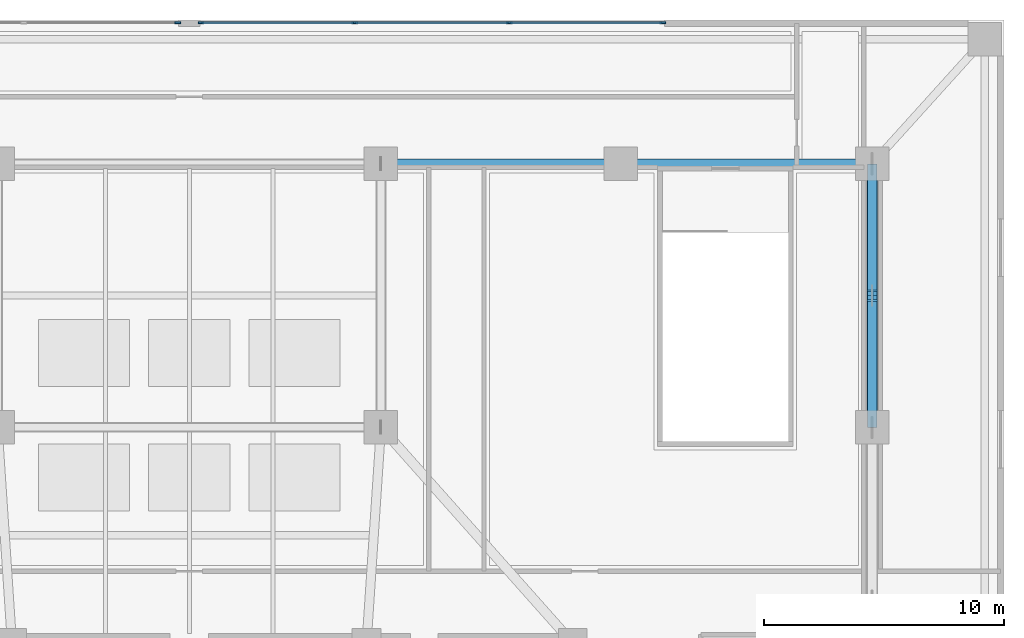
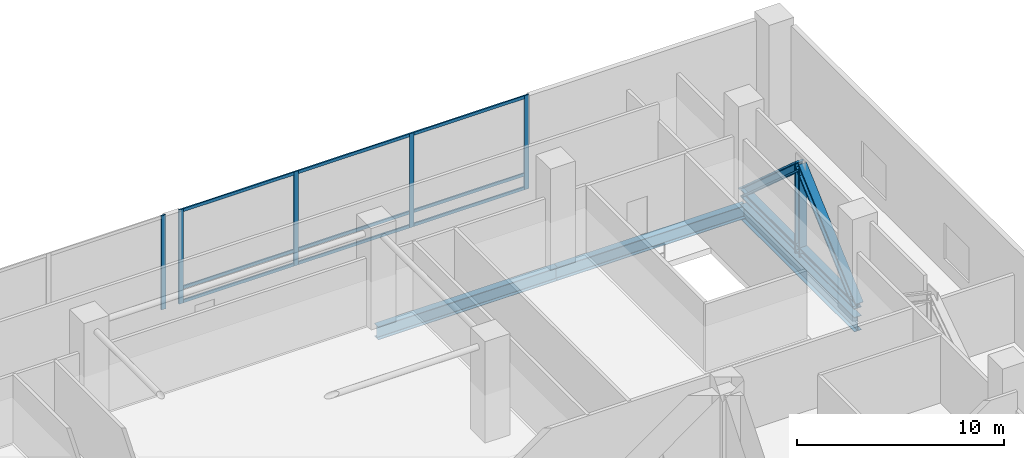
# One storey, part 5 of 16: 19 members, 3 beams, 2 elements without a shape of their own.
"""IFC4 building model written with IfcOpenShell, lengths in metres."""

import ifcopenshell
import ifcopenshell.guid

model = None  # the IFC model being written
_history = None  # IfcOwnerHistory: only IFC2X3 demands one
_inside = {}  # id of a spatial element -> (the spatial element, [elements in it])
_under = {}  # id of a project, library or spatial element -> (it, [spatial elements below it])
_declared = {}  # id of a project -> (the project, [libraries it declares])
_typed = {}  # id of a type object -> (the type object, [elements of that type])
_made_of = {}  # id of a material, layer set ... -> (it, [elements and type objects made of it])


def new_model(schema):
    """Start an empty IFC model of exactly this schema.

    Asked for "IFC4X3", IfcOpenShell would pick the latest addendum, in which some entities
    have other attributes; the version numbers below select the first issue.
    IFC2X3 requires an IfcOwnerHistory on every rooted entity: one is made here for all.
    """
    global model, _history
    if schema == "IFC4X3":
        model = ifcopenshell.file(schema_version=(4, 3, 0, 0))
    else:
        model = ifcopenshell.file(schema=schema)
    _inside.clear()
    _under.clear()
    _declared.clear()
    _typed.clear()
    _made_of.clear()
    _history = None
    if model.schema == "IFC2X3":
        org = make("IfcOrganization", Name="unknown")
        user = make(
            "IfcPersonAndOrganization",
            ThePerson=make("IfcPerson", FamilyName="unknown"),
            TheOrganization=org,
        )
        app = make(
            "IfcApplication",
            ApplicationDeveloper=org,
            Version="unknown",
            ApplicationFullName="unknown",
            ApplicationIdentifier="unknown",
        )
        _history = make(
            "IfcOwnerHistory",
            OwningUser=user,
            OwningApplication=app,
            ChangeAction="ADDED",
            CreationDate=0,
        )
    return model


def make(cls, **values):
    """One entity of the class cls with the attributes given. An attribute that is None is left unset."""
    return model.create_entity(
        cls, **{name: value for name, value in values.items() if value is not None}
    )


def rooted(cls, **values):
    """An entity with a GlobalId (a new one), such as an element, a storey or a relation."""
    return make(cls, GlobalId=ifcopenshell.guid.new(), OwnerHistory=_history, **values)


def si_unit(unit_type, name, prefix=None):
    """IfcSIUnit, for example si_unit("LENGTHUNIT", "METRE", prefix="MILLI")."""
    return make("IfcSIUnit", UnitType=unit_type, Prefix=prefix, Name=name)


def assignment(units):
    """IfcUnitAssignment: the units of a project."""
    return None if units is None else make("IfcUnitAssignment", Units=units)


def point(xyz):
    """IfcCartesianPoint."""
    return None if xyz is None else make("IfcCartesianPoint", Coordinates=xyz)


def direction(xyz):
    """IfcDirection."""
    return None if xyz is None else make("IfcDirection", DirectionRatios=xyz)


def frame(location, z_axis=None, x_axis=None):
    """IfcAxis2Placement3D, a coordinate frame: its origin and axes. An axis left out is left unset."""
    return make(
        "IfcAxis2Placement3D",
        Location=point(location),
        Axis=direction(z_axis),
        RefDirection=direction(x_axis),
    )


def frame_2d(location, x_axis=None):
    """IfcAxis2Placement2D, a coordinate frame in the plane: its origin and x axis."""
    return make(
        "IfcAxis2Placement2D", Location=point(location), RefDirection=direction(x_axis)
    )


def origin():
    """The frame at (0, 0, 0) with its axes left unset."""
    return frame((0.0, 0.0, 0.0))


def origin_2d():
    """The frame at (0, 0) in the plane with its x axis left unset."""
    return frame_2d((0.0, 0.0))


def place(relative_to, where):
    """IfcLocalPlacement: puts the frame where relative to a parent placement (None: the world)."""
    return make(
        "IfcLocalPlacement", PlacementRelTo=relative_to, RelativePlacement=where
    )


def context(
    kind, dimensions, precision=None, world=None, true_north=None, identifier=None
):
    """IfcGeometricRepresentationContext, for example the 3D "Model" context."""
    return make(
        "IfcGeometricRepresentationContext",
        ContextIdentifier=identifier,
        ContextType=kind,
        CoordinateSpaceDimension=dimensions,
        Precision=precision,
        WorldCoordinateSystem=world,
        TrueNorth=true_north,
    )


def subcontext(parent, identifier, kind, view, scale=None):
    """IfcGeometricRepresentationSubContext, for example "Body" below "Model"."""
    return make(
        "IfcGeometricRepresentationSubContext",
        ContextIdentifier=identifier,
        ContextType=kind,
        ParentContext=parent,
        TargetScale=scale,
        TargetView=view,
    )


def project(units=None, contexts=None):
    """IfcProject with its units and contexts."""
    return rooted(
        "IfcProject",
        Name="project",
        RepresentationContexts=contexts,
        UnitsInContext=assignment(units),
    )


def spatial(cls, under=None, at=None, **own):
    """A site, building, storey or space (cls), placed at a placement, below another one or the project."""
    s = rooted(cls, ObjectPlacement=at, **own)
    if under is not None:
        _under.setdefault(under.id(), (under, []))[1].append(s)
    return s


def profile(cls, at=None, kind="AREA", **sizes):
    """A parametric profile (cls). Its sizes go by their IFC names, for example OverallWidth=200.0."""
    return make(cls, ProfileType=kind, Position=at, **sizes)


def rectangle(**sizes):
    """IfcRectangleProfileDef."""
    return profile("IfcRectangleProfileDef", **sizes)


def i_section(**sizes):
    """IfcIShapeProfileDef."""
    return profile("IfcIShapeProfileDef", **sizes)


def extrude(swept, where, along, depth):
    """IfcExtrudedAreaSolid: the profile swept, set in the frame where, extruded along a direction by depth."""
    return make(
        "IfcExtrudedAreaSolid",
        SweptArea=swept,
        Position=where,
        ExtrudedDirection=direction(along),
        Depth=depth,
    )


def shape(context_of_items, identifier, shape_type, items):
    """IfcShapeRepresentation: the items that make up one representation, for example the "Body"."""
    return make(
        "IfcShapeRepresentation",
        ContextOfItems=context_of_items,
        RepresentationIdentifier=identifier,
        RepresentationType=shape_type,
        Items=items,
    )


def material(Name=None, Category=None):
    """IfcMaterial."""
    return make("IfcMaterial", Name=Name, Category=Category)


def material_profile(
    of_material, cross_section, Name=None, Category=None, Priority=None
):
    """IfcMaterialProfile: a cross section and its material."""
    return make(
        "IfcMaterialProfile",
        Name=Name,
        Material=of_material,
        Profile=cross_section,
        Priority=Priority,
        Category=Category,
    )


def profile_set(profiles, Name=None, composite=None):
    """IfcMaterialProfileSet."""
    return make(
        "IfcMaterialProfileSet",
        Name=Name,
        MaterialProfiles=profiles,
        CompositeProfile=composite,
    )


def made_of(thing, what):
    """Note that an element or type object is made of a material, layer set ...; save() writes the relation."""
    if what is not None:
        _made_of.setdefault(what.id(), (what, []))[1].append(thing)
    return thing


def type_object(cls, material=None, **own):
    """A type object (cls), such as IfcWallType, which elements share."""
    return made_of(rooted(cls, **own), material)


def element(
    cls,
    number,
    at=None,
    inside=None,
    cuts=None,
    type_object=None,
    material=None,
    context=None,
    identifier="Body",
    shape_type=None,
    held_by="IfcProductDefinitionShape",
    body=None,
    shapes=None,
    **own,
):
    """One element of the class cls, such as IfcWall. Its Tag is "e" and its number.

    at: its placement. inside: the storey or other place that contains it. cuts: it is an
    opening in that element (IfcRelVoidsElement). A single representation is given by context,
    identifier, shape_type and body (its items); several are given by shapes. held_by: the class
    of the entity that holds the representations. save() writes the other relations.
    """
    e = rooted(cls, Tag="e%d" % number, ObjectPlacement=at, **own)
    if body is not None:
        shapes = [shape(context, identifier, shape_type, body)]
    if shapes is not None:
        e.Representation = make(held_by, Representations=shapes)
    if inside is not None:
        _inside.setdefault(inside.id(), (inside, []))[1].append(e)
    if cuts is not None:
        rooted(
            "IfcRelVoidsElement", RelatingBuildingElement=cuts, RelatedOpeningElement=e
        )
    if type_object is not None:
        _typed.setdefault(type_object.id(), (type_object, []))[1].append(e)
    return made_of(e, material)


def aggregate(whole, parts):
    """IfcRelAggregates: a whole, such as a stair, and the parts it consists of."""
    return rooted("IfcRelAggregates", RelatingObject=whole, RelatedObjects=parts)


def save(model, path):
    """Write the relations noted so far, then the file.

    IfcRelAggregates (storeys below a building ...), IfcRelContainedInSpatialStructure (elements
    in a storey), IfcRelDefinesByType, IfcRelAssociatesMaterial and IfcRelDeclares: one each for
    every whole, place, type object, material and project.
    """
    for whole, parts in _under.values():
        aggregate(whole, parts)
    for where, things in _inside.values():
        rooted(
            "IfcRelContainedInSpatialStructure",
            RelatedElements=things,
            RelatingStructure=where,
        )
    for kind, things in _typed.values():
        rooted("IfcRelDefinesByType", RelatedObjects=things, RelatingType=kind)
    for what, things in _made_of.values():
        rooted("IfcRelAssociatesMaterial", RelatedObjects=things, RelatingMaterial=what)
    for by, libraries in _declared.values():
        rooted("IfcRelDeclares", RelatingContext=by, RelatedDefinitions=libraries)
    model.write(path)


model = new_model("IFC4")

# Units and contexts
model_context = context("Model", 3, precision=1e-05, world=origin(), true_north=direction((0.0, 1.0)))
body_context = subcontext(model_context, "Body", "Model", "MODEL_VIEW")
ifc_project = project(units=[si_unit("LENGTHUNIT", "METRE"), si_unit("AREAUNIT", "SQUARE_METRE"), si_unit("VOLUMEUNIT", "CUBIC_METRE"), si_unit("PLANEANGLEUNIT", "RADIAN"), si_unit("MASSUNIT", "GRAM", prefix="KILO")], contexts=[model_context])

# Site, building, storey
site_placement = place(None, origin())
site = spatial("IfcSite", under=ifc_project, at=site_placement, CompositionType="ELEMENT")
building_placement = place(site_placement, origin())
building = spatial("IfcBuilding", under=site, at=building_placement, Name="Solmavex Isthmus Hotel", CompositionType="ELEMENT")
storey_placement = place(building_placement, frame((0.0, 0.0, 20.39990234375)))
storey = spatial("IfcBuildingStorey", under=building, at=storey_placement, Name="L05", CompositionType="ELEMENT", Elevation=20.39990234375)

# Beams
ifc_material_1 = material(Name="Steel ASTM A992 Grade 50", Category="steel")
ifc_material_profile_1 = material_profile(ifc_material_1, i_section(OverallWidth=0.380615234375, OverallDepth=0.773193359375, WebThickness=0.0166015625, FlangeThickness=0.027099609375, FilletRadius=0.01904296875, at=origin_2d()), Name="W30X173")
ifc_profile_set_1 = profile_set([ifc_material_profile_1], Name="Steel ASTM A992 Grade 50")
beam_type_1 = type_object("IfcBeamType", Name="BM-BG-W30X173", PredefinedType="BEAM", material=ifc_profile_set_1)
beam_1_placement = place(storey_placement, frame((8.0, 17.5, -0.736572265625), z_axis=(1.0, 0.0, 0.0), x_axis=(0.0, 1.0, 0.0)))
element("IfcBeam", 1, at=beam_1_placement, inside=storey, type_object=beam_type_1, Name="Podium Primary Girder L05-G10", PredefinedType="BEAM", context=body_context, shape_type="SweptSolid", body=[
    extrude(i_section(OverallWidth=0.380615234375, OverallDepth=0.773193359375, WebThickness=0.0166015625, FlangeThickness=0.027099609375, FilletRadius=0.01904296875, at=origin_2d()), origin(), (0.0, 0.0, 1.0), 10.0),
])
beam_2_placement = place(storey_placement, frame((18.0, 17.5, -0.736572265625), z_axis=(1.0, 0.0, 0.0), x_axis=(0.0, 1.0, 0.0)))
element("IfcBeam", 2, at=beam_2_placement, inside=storey, type_object=beam_type_1, Name="Podium Primary Girder L05-G11", PredefinedType="BEAM", context=body_context, shape_type="SweptSolid", body=[
    extrude(i_section(OverallWidth=0.380615234375, OverallDepth=0.773193359375, WebThickness=0.0166015625, FlangeThickness=0.027099609375, FilletRadius=0.01904296875, at=origin_2d()), origin(), (0.0, 0.0, 1.0), 10.5),
])
ifc_material_profile_2 = material_profile(ifc_material_1, i_section(OverallWidth=0.39990234375, OverallDepth=0.85546875, WebThickness=0.018310546875, FlangeThickness=0.029296875, FilletRadius=0.020263671875, at=origin_2d()), Name="W33X201")
ifc_profile_set_2 = profile_set([ifc_material_profile_2], Name="Steel ASTM A992 Grade 50")
beam_type_2 = type_object("IfcBeamType", Name="BM-BG-W33X201", PredefinedType="BEAM", material=ifc_profile_set_2)
beam_3_placement = place(storey_placement, frame((28.5, 6.5, -0.777587890625), z_axis=(0.0, 1.0, 0.0), x_axis=(-1.0, 0.0, 0.0)))
element("IfcBeam", 3, at=beam_3_placement, inside=storey, type_object=beam_type_2, Name="Podium Primary Girder L05-G17", PredefinedType="BEAM", context=body_context, shape_type="SweptSolid", body=[
    extrude(i_section(OverallWidth=0.39990234375, OverallDepth=0.85546875, WebThickness=0.018310546875, FlangeThickness=0.029296875, FilletRadius=0.020263671875, at=origin_2d()), origin(), (0.0, 0.0, 1.0), 11.0),
])

# Curtain wall, member
ifc_material_2 = material(Name="Aluminium alloy 6063-T6", Category="aluminium")
curtain_wall_type = type_object("IfcCurtainWallType", Name="CW-SYS-01", PredefinedType="NOTDEFINED", material=ifc_material_2)
curtain_wall_1_placement = place(storey_placement, origin())
curtain_wall_1 = element("IfcCurtainWall", 4, at=curtain_wall_1_placement, inside=storey, type_object=curtain_wall_type, Name="Stick Curtain Wall CWL-L05-NW", PredefinedType="NOTDEFINED")
ifc_material_profile_3 = material_profile(ifc_material_2, rectangle(XDim=0.080078125, YDim=0.25, at=origin_2d()), Name="CWM-80X250")
ifc_profile_set_3 = profile_set([ifc_material_profile_3], Name="Aluminium alloy 6063-T6")
member_type_1 = type_object("IfcMemberType", Name="CW-SYS-01-MUL", PredefinedType="MULLION", material=ifc_profile_set_3)
member_1_placement = place(storey_placement, frame((-0.489990234375, 23.3798828125, 0.0), z_axis=(0.0, 0.0, 1.0), x_axis=(0.0, 1.0, 0.0)))
member_1 = element("IfcMember", 5, at=member_1_placement, type_object=member_type_1, Name="CW-01 mullion 4", PredefinedType="MULLION", context=body_context, shape_type="SweptSolid", body=[
    extrude(rectangle(XDim=0.080078125, YDim=0.25, at=origin_2d()), origin(), (0.0, 0.0, 1.0), 5.550048828125),
])
aggregate(curtain_wall_1, [member_1])

# Curtain wall, members
curtain_wall_2_placement = place(storey_placement, origin())
curtain_wall_2 = element("IfcCurtainWall", 6, at=curtain_wall_2_placement, inside=storey, type_object=curtain_wall_type, Name="Stick Curtain Wall CWL-L05-NE", PredefinedType="NOTDEFINED")
member_2_placement = place(storey_placement, frame((0.489990234375, 23.3798828125, 0.0), z_axis=(0.0, 0.0, 1.0), x_axis=(0.0, 1.0, 0.0)))
member_2 = element("IfcMember", 7, at=member_2_placement, type_object=member_type_1, Name="CW-01 mullion 1", PredefinedType="MULLION", context=body_context, shape_type="SweptSolid", body=[
    extrude(rectangle(XDim=0.080078125, YDim=0.25, at=origin_2d()), origin(), (0.0, 0.0, 1.0), 5.550048828125),
])
member_3_placement = place(storey_placement, frame((6.89990234375, 23.3798828125, 0.0), z_axis=(0.0, 0.0, 1.0), x_axis=(0.0, 1.0, 0.0)))
member_3 = element("IfcMember", 8, at=member_3_placement, type_object=member_type_1, Name="CW-01 mullion 2", PredefinedType="MULLION", context=body_context, shape_type="SweptSolid", body=[
    extrude(rectangle(XDim=0.080078125, YDim=0.25, at=origin_2d()), origin(), (0.0, 0.0, 1.0), 5.550048828125),
])
member_4_placement = place(storey_placement, frame((13.35009765625, 23.3798828125, 0.0), z_axis=(0.0, 0.0, 1.0), x_axis=(0.0, 1.0, 0.0)))
member_4 = element("IfcMember", 9, at=member_4_placement, type_object=member_type_1, Name="CW-01 mullion 3", PredefinedType="MULLION", context=body_context, shape_type="SweptSolid", body=[
    extrude(rectangle(XDim=0.080078125, YDim=0.25, at=origin_2d()), origin(), (0.0, 0.0, 1.0), 5.550048828125),
])
member_5_placement = place(storey_placement, frame((19.760009765625, 23.3798828125, 0.0), z_axis=(0.0, 0.0, 1.0), x_axis=(0.0, 1.0, 0.0)))
member_5 = element("IfcMember", 10, at=member_5_placement, type_object=member_type_1, Name="CW-01 mullion 4", PredefinedType="MULLION", context=body_context, shape_type="SweptSolid", body=[
    extrude(rectangle(XDim=0.080078125, YDim=0.25, at=origin_2d()), origin(), (0.0, 0.0, 1.0), 5.550048828125),
])
ifc_material_profile_4 = material_profile(ifc_material_2, rectangle(XDim=0.080078125, YDim=0.179931640625, at=origin_2d()), Name="CWT-80X180")
ifc_profile_set_4 = profile_set([ifc_material_profile_4], Name="Aluminium alloy 6063-T6")
member_type_2 = type_object("IfcMemberType", Name="CW-SYS-01-TRN", PredefinedType="USERDEFINED", material=ifc_profile_set_4)
member_6_placement = place(storey_placement, frame((0.530029296875, 23.3798828125, 0.090087890625), z_axis=(1.0, 0.0, 0.0), x_axis=(0.0, 1.0, 0.0)))
member_6 = element("IfcMember", 11, at=member_6_placement, type_object=member_type_2, Name="CW-01 transom 1.1", ObjectType="TRANSOM", PredefinedType="USERDEFINED", context=body_context, shape_type="SweptSolid", body=[
    extrude(rectangle(XDim=0.080078125, YDim=0.179931640625, at=origin_2d()), origin(), (0.0, 0.0, 1.0), 6.330078125),
])
member_7_placement = place(storey_placement, frame((0.530029296875, 23.3798828125, 0.900146484375), z_axis=(1.0, 0.0, 0.0), x_axis=(0.0, 1.0, 0.0)))
member_7 = element("IfcMember", 12, at=member_7_placement, type_object=member_type_2, Name="CW-01 transom 1.2", ObjectType="TRANSOM", PredefinedType="USERDEFINED", context=body_context, shape_type="SweptSolid", body=[
    extrude(rectangle(XDim=0.080078125, YDim=0.179931640625, at=origin_2d()), origin(), (0.0, 0.0, 1.0), 6.330078125),
])
member_8_placement = place(storey_placement, frame((0.530029296875, 23.3798828125, 5.460205078125), z_axis=(1.0, 0.0, 0.0), x_axis=(0.0, 1.0, 0.0)))
member_8 = element("IfcMember", 13, at=member_8_placement, type_object=member_type_2, Name="CW-01 transom 1.3", ObjectType="TRANSOM", PredefinedType="USERDEFINED", context=body_context, shape_type="SweptSolid", body=[
    extrude(rectangle(XDim=0.080078125, YDim=0.179931640625, at=origin_2d()), origin(), (0.0, 0.0, 1.0), 6.330078125),
])
member_9_placement = place(storey_placement, frame((6.93994140625, 23.3798828125, 0.090087890625), z_axis=(1.0, 0.0, 0.0), x_axis=(0.0, 1.0, 0.0)))
member_9 = element("IfcMember", 14, at=member_9_placement, type_object=member_type_2, Name="CW-01 transom 2.1", ObjectType="TRANSOM", PredefinedType="USERDEFINED", context=body_context, shape_type="SweptSolid", body=[
    extrude(rectangle(XDim=0.080078125, YDim=0.179931640625, at=origin_2d()), origin(), (0.0, 0.0, 1.0), 6.3701171875),
])
member_10_placement = place(storey_placement, frame((6.93994140625, 23.3798828125, 0.900146484375), z_axis=(1.0, 0.0, 0.0), x_axis=(0.0, 1.0, 0.0)))
member_10 = element("IfcMember", 15, at=member_10_placement, type_object=member_type_2, Name="CW-01 transom 2.2", ObjectType="TRANSOM", PredefinedType="USERDEFINED", context=body_context, shape_type="SweptSolid", body=[
    extrude(rectangle(XDim=0.080078125, YDim=0.179931640625, at=origin_2d()), origin(), (0.0, 0.0, 1.0), 6.3701171875),
])
member_11_placement = place(storey_placement, frame((6.93994140625, 23.3798828125, 5.460205078125), z_axis=(1.0, 0.0, 0.0), x_axis=(0.0, 1.0, 0.0)))
member_11 = element("IfcMember", 16, at=member_11_placement, type_object=member_type_2, Name="CW-01 transom 2.3", ObjectType="TRANSOM", PredefinedType="USERDEFINED", context=body_context, shape_type="SweptSolid", body=[
    extrude(rectangle(XDim=0.080078125, YDim=0.179931640625, at=origin_2d()), origin(), (0.0, 0.0, 1.0), 6.3701171875),
])
member_12_placement = place(storey_placement, frame((13.389892578125, 23.3798828125, 0.090087890625), z_axis=(1.0, 0.0, 0.0), x_axis=(0.0, 1.0, 0.0)))
member_12 = element("IfcMember", 17, at=member_12_placement, type_object=member_type_2, Name="CW-01 transom 3.1", ObjectType="TRANSOM", PredefinedType="USERDEFINED", context=body_context, shape_type="SweptSolid", body=[
    extrude(rectangle(XDim=0.080078125, YDim=0.179931640625, at=origin_2d()), origin(), (0.0, 0.0, 1.0), 6.330078125),
])
member_13_placement = place(storey_placement, frame((13.389892578125, 23.3798828125, 0.900146484375), z_axis=(1.0, 0.0, 0.0), x_axis=(0.0, 1.0, 0.0)))
member_13 = element("IfcMember", 18, at=member_13_placement, type_object=member_type_2, Name="CW-01 transom 3.2", ObjectType="TRANSOM", PredefinedType="USERDEFINED", context=body_context, shape_type="SweptSolid", body=[
    extrude(rectangle(XDim=0.080078125, YDim=0.179931640625, at=origin_2d()), origin(), (0.0, 0.0, 1.0), 6.330078125),
])
member_14_placement = place(storey_placement, frame((13.389892578125, 23.3798828125, 5.460205078125), z_axis=(1.0, 0.0, 0.0), x_axis=(0.0, 1.0, 0.0)))
member_14 = element("IfcMember", 19, at=member_14_placement, type_object=member_type_2, Name="CW-01 transom 3.3", ObjectType="TRANSOM", PredefinedType="USERDEFINED", context=body_context, shape_type="SweptSolid", body=[
    extrude(rectangle(XDim=0.080078125, YDim=0.179931640625, at=origin_2d()), origin(), (0.0, 0.0, 1.0), 6.330078125),
])
aggregate(curtain_wall_2, [member_2, member_3, member_4, member_5, member_6, member_7, member_8, member_9, member_10, member_11, member_12, member_13, member_14])

# Members
ifc_material_3 = material(Name="Steel ASTM A913 Grade 65", Category="steel")
ifc_material_profile_5 = material_profile(ifc_material_3, i_section(OverallWidth=0.412109375, OverallDepth=0.434814453125, WebThickness=0.035888671875, FlangeThickness=0.057373046875, FilletRadius=0.030517578125, at=origin_2d()), Name="W14X311")
ifc_profile_set_5 = profile_set([ifc_material_profile_5], Name="Steel ASTM A913 Grade 65")
member_type_3 = type_object("IfcMemberType", Name="MEM-TC-W14X311", PredefinedType="CHORD", material=ifc_profile_set_5)
for number, where, z_axis, x_axis, name in (
    (20, (28.5, 6.5, 0.35009765625), (0.0, 1.0, 0.0), (-1.0, 0.0, 0.0), "Ballroom Transfer Truss Bottom Chord BT-L05-E-07"),
    (21, (28.5, 12.0, 0.35009765625), (0.0, 1.0, 0.0), (-1.0, 0.0, 0.0), "Ballroom Transfer Truss Bottom Chord BT-L05-E-08"),
):
    element("IfcMember", number, at=place(storey_placement, frame(where, z_axis=z_axis, x_axis=x_axis)), inside=storey, type_object=member_type_3, Name=name, PredefinedType="CHORD", context=body_context, shape_type="SweptSolid", body=[
        extrude(i_section(OverallWidth=0.412109375, OverallDepth=0.434814453125, WebThickness=0.035888671875, FlangeThickness=0.057373046875, FilletRadius=0.030517578125, at=origin_2d()), origin(), (0.0, 0.0, 1.0), 5.5),
    ])
ifc_material_profile_6 = material_profile(ifc_material_3, i_section(OverallWidth=0.43212890625, OverallDepth=0.497802734375, WebThickness=0.0556640625, FlangeThickness=0.0888671875, FilletRadius=0.030517578125, at=origin_2d()), Name="W14X500")
ifc_profile_set_6 = profile_set([ifc_material_profile_6], Name="Steel ASTM A913 Grade 65")
member_type_4 = type_object("IfcMemberType", Name="MEM-TM-W14X500", PredefinedType="BRACE", material=ifc_profile_set_6)
for number, where, z_axis, x_axis, name in (
    (22, (28.5, 6.5, 0.35009765625), (0.0, 0.746666427997, 0.665198651008), (-1.0, 0.0, 0.0), "Ballroom Transfer Truss Diagonal Brace BT-L05-E-07"),
    (23, (28.5, 12.0, 5.25), (0.0, 0.746666427997, -0.665198651008), (-1.0, 0.0, 0.0), "Ballroom Transfer Truss Diagonal Brace BT-L05-E-08"),
):
    element("IfcMember", number, at=place(storey_placement, frame(where, z_axis=z_axis, x_axis=x_axis)), inside=storey, type_object=member_type_4, Name=name, PredefinedType="BRACE", context=body_context, shape_type="SweptSolid", body=[
        extrude(i_section(OverallWidth=0.43212890625, OverallDepth=0.497802734375, WebThickness=0.0556640625, FlangeThickness=0.0888671875, FilletRadius=0.030517578125, at=origin_2d()), origin(), (0.0, 0.0, 1.0), 7.365966796875),
    ])
ifc_material_profile_7 = material_profile(ifc_material_3, i_section(OverallWidth=0.424072265625, OverallDepth=0.47412109375, WebThickness=0.047607421875, FlangeThickness=0.0771484375, FilletRadius=0.030517578125, at=origin_2d()), Name="W14X426")
ifc_profile_set_7 = profile_set([ifc_material_profile_7], Name="Steel ASTM A913 Grade 65")
member_type_5 = type_object("IfcMemberType", Name="MEM-TP-W14X426", PredefinedType="POST", material=ifc_profile_set_7)
member_15_placement = place(storey_placement, frame((28.5, 12.0, 0.0), z_axis=(0.0, 0.0, 1.0), x_axis=(1.0, 0.0, 0.0)))
element("IfcMember", 24, at=member_15_placement, inside=storey, type_object=member_type_5, Name="Ballroom Transfer Truss Vertical Post BT-L05-E-08", PredefinedType="POST", context=body_context, shape_type="SweptSolid", body=[
    extrude(i_section(OverallWidth=0.424072265625, OverallDepth=0.47412109375, WebThickness=0.047607421875, FlangeThickness=0.0771484375, FilletRadius=0.030517578125, at=origin_2d()), origin(), (0.0, 0.0, 1.0), 5.25),
])

save(model, "model.ifc")
